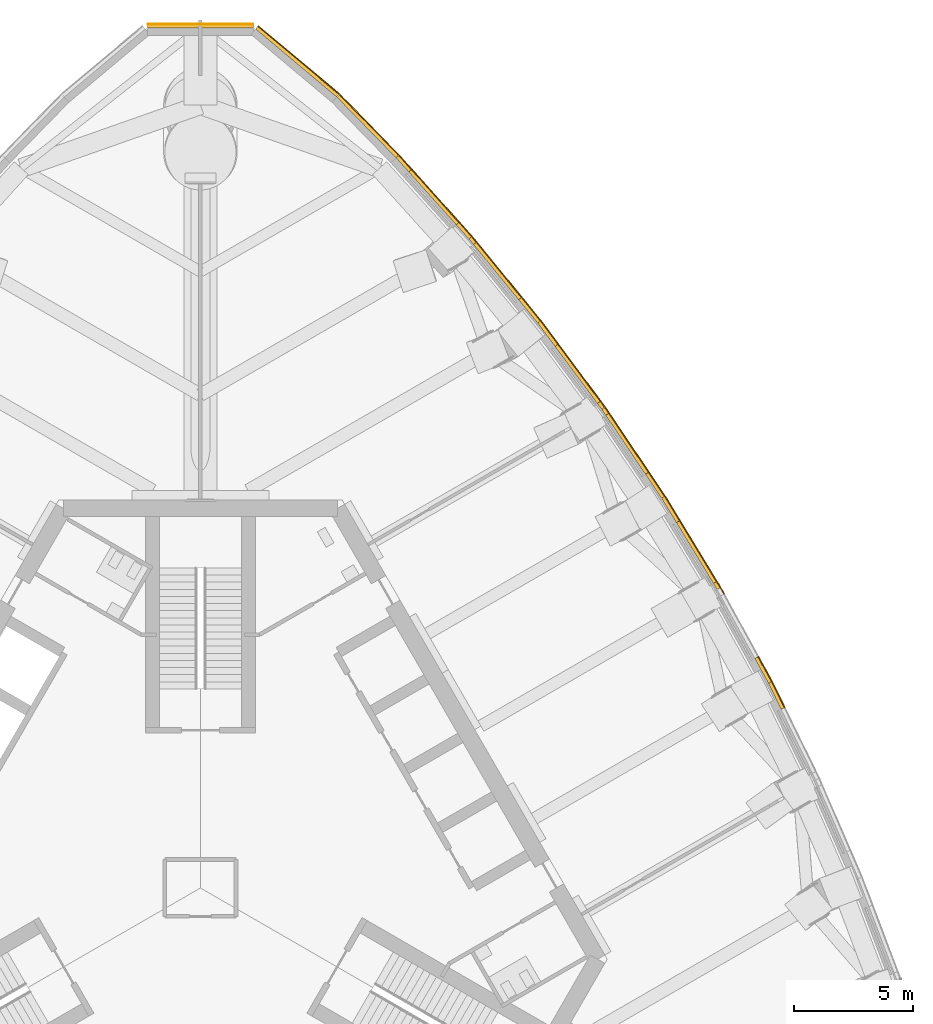
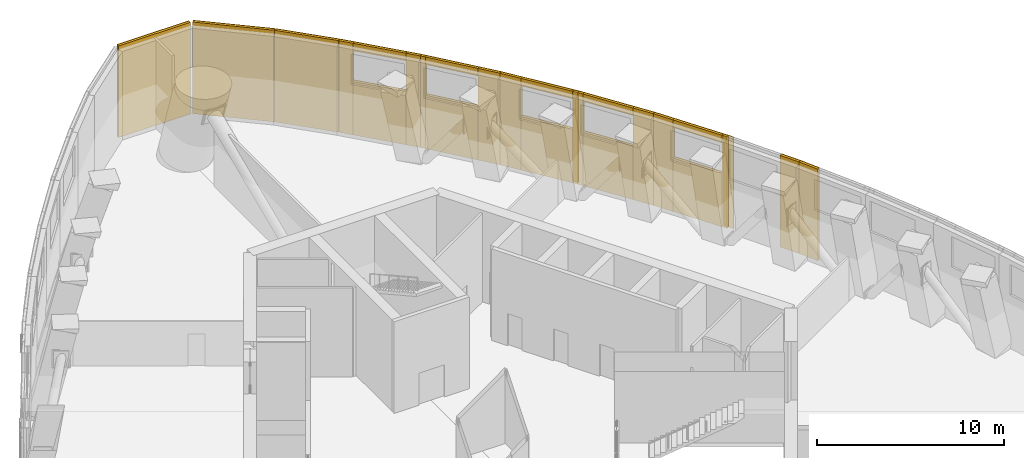
# One storey, part 19 of 22: 51 coverings.
"""IFC4 building model written with IfcOpenShell, lengths in metres."""

import ifcopenshell
import ifcopenshell.guid

model = None  # the IFC model being written
_history = None  # IfcOwnerHistory: only IFC2X3 demands one
_inside = {}  # id of a spatial element -> (the spatial element, [elements in it])
_under = {}  # id of a project, library or spatial element -> (it, [spatial elements below it])
_declared = {}  # id of a project -> (the project, [libraries it declares])
_typed = {}  # id of a type object -> (the type object, [elements of that type])
_made_of = {}  # id of a material, layer set ... -> (it, [elements and type objects made of it])


def new_model(schema):
    """Start an empty IFC model of exactly this schema.

    Asked for "IFC4X3", IfcOpenShell would pick the latest addendum, in which some entities
    have other attributes; the version numbers below select the first issue.
    IFC2X3 requires an IfcOwnerHistory on every rooted entity: one is made here for all.
    """
    global model, _history
    if schema == "IFC4X3":
        model = ifcopenshell.file(schema_version=(4, 3, 0, 0))
    else:
        model = ifcopenshell.file(schema=schema)
    _inside.clear()
    _under.clear()
    _declared.clear()
    _typed.clear()
    _made_of.clear()
    _history = None
    if model.schema == "IFC2X3":
        org = make("IfcOrganization", Name="unknown")
        user = make(
            "IfcPersonAndOrganization",
            ThePerson=make("IfcPerson", FamilyName="unknown"),
            TheOrganization=org,
        )
        app = make(
            "IfcApplication",
            ApplicationDeveloper=org,
            Version="unknown",
            ApplicationFullName="unknown",
            ApplicationIdentifier="unknown",
        )
        _history = make(
            "IfcOwnerHistory",
            OwningUser=user,
            OwningApplication=app,
            ChangeAction="ADDED",
            CreationDate=0,
        )
    return model


def make(cls, **values):
    """One entity of the class cls with the attributes given. An attribute that is None is left unset."""
    return model.create_entity(
        cls, **{name: value for name, value in values.items() if value is not None}
    )


def rooted(cls, **values):
    """An entity with a GlobalId (a new one), such as an element, a storey or a relation."""
    return make(cls, GlobalId=ifcopenshell.guid.new(), OwnerHistory=_history, **values)


def si_unit(unit_type, name, prefix=None):
    """IfcSIUnit, for example si_unit("LENGTHUNIT", "METRE", prefix="MILLI")."""
    return make("IfcSIUnit", UnitType=unit_type, Prefix=prefix, Name=name)


def assignment(units):
    """IfcUnitAssignment: the units of a project."""
    return None if units is None else make("IfcUnitAssignment", Units=units)


def point(xyz):
    """IfcCartesianPoint."""
    return None if xyz is None else make("IfcCartesianPoint", Coordinates=xyz)


def direction(xyz):
    """IfcDirection."""
    return None if xyz is None else make("IfcDirection", DirectionRatios=xyz)


def frame(location, z_axis=None, x_axis=None):
    """IfcAxis2Placement3D, a coordinate frame: its origin and axes. An axis left out is left unset."""
    return make(
        "IfcAxis2Placement3D",
        Location=point(location),
        Axis=direction(z_axis),
        RefDirection=direction(x_axis),
    )


def frame_2d(location, x_axis=None):
    """IfcAxis2Placement2D, a coordinate frame in the plane: its origin and x axis."""
    return make(
        "IfcAxis2Placement2D", Location=point(location), RefDirection=direction(x_axis)
    )


def origin():
    """The frame at (0, 0, 0) with its axes left unset."""
    return frame((0.0, 0.0, 0.0))


def origin_2d():
    """The frame at (0, 0) in the plane with its x axis left unset."""
    return frame_2d((0.0, 0.0))


def place(relative_to, where):
    """IfcLocalPlacement: puts the frame where relative to a parent placement (None: the world)."""
    return make(
        "IfcLocalPlacement", PlacementRelTo=relative_to, RelativePlacement=where
    )


def context(
    kind, dimensions, precision=None, world=None, true_north=None, identifier=None
):
    """IfcGeometricRepresentationContext, for example the 3D "Model" context."""
    return make(
        "IfcGeometricRepresentationContext",
        ContextIdentifier=identifier,
        ContextType=kind,
        CoordinateSpaceDimension=dimensions,
        Precision=precision,
        WorldCoordinateSystem=world,
        TrueNorth=true_north,
    )


def subcontext(parent, identifier, kind, view, scale=None):
    """IfcGeometricRepresentationSubContext, for example "Body" below "Model"."""
    return make(
        "IfcGeometricRepresentationSubContext",
        ContextIdentifier=identifier,
        ContextType=kind,
        ParentContext=parent,
        TargetScale=scale,
        TargetView=view,
    )


def project(units=None, contexts=None):
    """IfcProject with its units and contexts."""
    return rooted(
        "IfcProject",
        Name="project",
        RepresentationContexts=contexts,
        UnitsInContext=assignment(units),
    )


def spatial(cls, under=None, at=None, **own):
    """A site, building, storey or space (cls), placed at a placement, below another one or the project."""
    s = rooted(cls, ObjectPlacement=at, **own)
    if under is not None:
        _under.setdefault(under.id(), (under, []))[1].append(s)
    return s


def profile(cls, at=None, kind="AREA", **sizes):
    """A parametric profile (cls). Its sizes go by their IFC names, for example OverallWidth=200.0."""
    return make(cls, ProfileType=kind, Position=at, **sizes)


def rectangle(**sizes):
    """IfcRectangleProfileDef."""
    return profile("IfcRectangleProfileDef", **sizes)


def extrude(swept, where, along, depth):
    """IfcExtrudedAreaSolid: the profile swept, set in the frame where, extruded along a direction by depth."""
    return make(
        "IfcExtrudedAreaSolid",
        SweptArea=swept,
        Position=where,
        ExtrudedDirection=direction(along),
        Depth=depth,
    )


def shape(context_of_items, identifier, shape_type, items):
    """IfcShapeRepresentation: the items that make up one representation, for example the "Body"."""
    return make(
        "IfcShapeRepresentation",
        ContextOfItems=context_of_items,
        RepresentationIdentifier=identifier,
        RepresentationType=shape_type,
        Items=items,
    )


def material(Name=None, Category=None):
    """IfcMaterial."""
    return make("IfcMaterial", Name=Name, Category=Category)


def layer(
    of_material, thickness, ventilated=None, Name=None, Category=None, Priority=None
):
    """IfcMaterialLayer: one layer of a wall or slab, of a material (None: an air gap)."""
    return make(
        "IfcMaterialLayer",
        Material=of_material,
        LayerThickness=thickness,
        IsVentilated=ventilated,
        Name=Name,
        Category=Category,
        Priority=Priority,
    )


def layer_set(layers, Name=None):
    """IfcMaterialLayerSet."""
    return make("IfcMaterialLayerSet", MaterialLayers=layers, LayerSetName=Name)


def made_of(thing, what):
    """Note that an element or type object is made of a material, layer set ...; save() writes the relation."""
    if what is not None:
        _made_of.setdefault(what.id(), (what, []))[1].append(thing)
    return thing


def type_object(cls, material=None, **own):
    """A type object (cls), such as IfcWallType, which elements share."""
    return made_of(rooted(cls, **own), material)


def element(
    cls,
    number,
    at=None,
    inside=None,
    cuts=None,
    type_object=None,
    material=None,
    context=None,
    identifier="Body",
    shape_type=None,
    held_by="IfcProductDefinitionShape",
    body=None,
    shapes=None,
    **own,
):
    """One element of the class cls, such as IfcWall. Its Tag is "e" and its number.

    at: its placement. inside: the storey or other place that contains it. cuts: it is an
    opening in that element (IfcRelVoidsElement). A single representation is given by context,
    identifier, shape_type and body (its items); several are given by shapes. held_by: the class
    of the entity that holds the representations. save() writes the other relations.
    """
    e = rooted(cls, Tag="e%d" % number, ObjectPlacement=at, **own)
    if body is not None:
        shapes = [shape(context, identifier, shape_type, body)]
    if shapes is not None:
        e.Representation = make(held_by, Representations=shapes)
    if inside is not None:
        _inside.setdefault(inside.id(), (inside, []))[1].append(e)
    if cuts is not None:
        rooted(
            "IfcRelVoidsElement", RelatingBuildingElement=cuts, RelatedOpeningElement=e
        )
    if type_object is not None:
        _typed.setdefault(type_object.id(), (type_object, []))[1].append(e)
    return made_of(e, material)


def aggregate(whole, parts):
    """IfcRelAggregates: a whole, such as a stair, and the parts it consists of."""
    return rooted("IfcRelAggregates", RelatingObject=whole, RelatedObjects=parts)


def save(model, path):
    """Write the relations noted so far, then the file.

    IfcRelAggregates (storeys below a building ...), IfcRelContainedInSpatialStructure (elements
    in a storey), IfcRelDefinesByType, IfcRelAssociatesMaterial and IfcRelDeclares: one each for
    every whole, place, type object, material and project.
    """
    for whole, parts in _under.values():
        aggregate(whole, parts)
    for where, things in _inside.values():
        rooted(
            "IfcRelContainedInSpatialStructure",
            RelatedElements=things,
            RelatingStructure=where,
        )
    for kind, things in _typed.values():
        rooted("IfcRelDefinesByType", RelatedObjects=things, RelatingType=kind)
    for what, things in _made_of.values():
        rooted("IfcRelAssociatesMaterial", RelatedObjects=things, RelatingMaterial=what)
    for by, libraries in _declared.values():
        rooted("IfcRelDeclares", RelatingContext=by, RelatedDefinitions=libraries)
    model.write(path)


model = new_model("IFC4")

# Units and contexts
model_context = context("Model", 3, precision=1e-05, world=origin(), true_north=direction((0.0, 1.0)))
body_context = subcontext(model_context, "Body", "Model", "MODEL_VIEW")
ifc_project = project(units=[si_unit("LENGTHUNIT", "METRE"), si_unit("AREAUNIT", "SQUARE_METRE"), si_unit("VOLUMEUNIT", "CUBIC_METRE"), si_unit("PLANEANGLEUNIT", "RADIAN"), si_unit("MASSUNIT", "GRAM", prefix="KILO")], contexts=[model_context])

# Site, building, storey
site_placement = place(None, origin())
site = spatial("IfcSite", under=ifc_project, at=site_placement, CompositionType="ELEMENT")
building_placement = place(site_placement, origin())
building = spatial("IfcBuilding", under=site, at=building_placement, Name="Trefoil Bronze Tower", CompositionType="ELEMENT")
storey_placement = place(building_placement, frame((0.0, 0.0, 265.300048828125)))
storey = spatial("IfcBuildingStorey", under=building, at=storey_placement, Name="L61", CompositionType="ELEMENT", Elevation=265.300048828125)

# Coverings
ifc_material_1 = material(Name="Bronze-finish aluminium rainscreen panel on aluminium rails", Category="aluminium")
ifc_layer_1 = layer(ifc_material_1, 0.0400390625)
ifc_layer_set_1 = layer_set([ifc_layer_1], Name="Bronze cladding panel 40")
covering_type_1 = type_object("IfcCoveringType", Name="Bronze cladding panel 40", PredefinedType="CLADDING", material=ifc_layer_set_1)
covering_1_placement = place(storey_placement, frame((24.364990234375, 8.148193359375, 0.0), z_axis=(0.0, 0.0, 1.0), x_axis=(-0.439129033303, 0.898424004638, 0.0)))
element("IfcCovering", 1, at=covering_1_placement, inside=storey, type_object=covering_type_1, Name="Cladding panel L61 Face 2.5 piece 2", PredefinedType="CLADDING", context=body_context, shape_type="SweptSolid", body=[
    extrude(rectangle(XDim=1.210693359375, YDim=0.0400390625, at=origin_2d()), origin(), (0.0, 0.0, 1.0), 6.0),
])
covering_2_placement = place(storey_placement, frame((23.80419921875, 9.23193359375, 0.0), z_axis=(0.0, 0.0, 1.0), x_axis=(-0.479974003443, 0.87728271157, 0.0)))
element("IfcCovering", 2, at=covering_2_placement, inside=storey, type_object=covering_type_1, Name="Cladding panel L61 Face 2.6 piece 1", PredefinedType="CLADDING", context=body_context, shape_type="SweptSolid", body=[
    extrude(rectangle(XDim=1.201171875, YDim=0.0400390625, at=origin_2d()), origin(), (0.0, 0.0, 1.0), 6.0),
])
for number, where, z_axis, x_axis, name in (
    (3, (22.00390625, 12.522216796875, 0.0), (0.0, 0.0, 1.0), (-0.479974003443, 0.87728271157, 0.0), "Cladding panel L61 Face 2.6 piece 2"),
    (4, (21.8466796875, 12.794677734375, 0.0), (0.0, 0.0, 1.0), (-0.519762112709, 0.854311035977, 0.0), "Cladding panel L61 Face 2.7 piece 1"),
):
    element("IfcCovering", number, at=place(storey_placement, frame(where, z_axis=z_axis, x_axis=x_axis)), inside=storey, type_object=covering_type_1, Name=name, PredefinedType="CLADDING", context=body_context, shape_type="SweptSolid", body=[
        extrude(rectangle(XDim=0.300048828125, YDim=0.0400390625, at=origin_2d()), origin(), (0.0, 0.0, 1.0), 6.0),
    ])
covering_3_placement = place(storey_placement, frame((19.897216796875, 15.9990234375, 0.0), z_axis=(0.0, 0.0, 1.0), x_axis=(-0.519762112709, 0.854311035977, 0.0)))
element("IfcCovering", 5, at=covering_3_placement, inside=storey, type_object=covering_type_1, Name="Cladding panel L61 Face 2.7 piece 2", PredefinedType="CLADDING", context=body_context, shape_type="SweptSolid", body=[
    extrude(rectangle(XDim=1.201171875, YDim=0.0400390625, at=origin_2d()), origin(), (0.0, 0.0, 1.0), 6.0),
])
covering_4_placement = place(storey_placement, frame((20.989013671875, 14.204345703125, 0.0), z_axis=(0.0, 0.0, 1.0), x_axis=(-0.519762112709, 0.854311035977, 0.0)))
element("IfcCovering", 6, at=covering_4_placement, inside=storey, type_object=covering_type_1, Name="Cladding panel L61 Face 2.7 piece 3", PredefinedType="CLADDING", context=body_context, shape_type="SweptSolid", body=[
    extrude(rectangle(XDim=3.0, YDim=0.0400390625, at=origin_2d()), origin(), (0.0, 0.0, 1.0), 3.5),
])
covering_5_placement = place(storey_placement, frame((20.989013671875, 14.204345703125, 5.5), z_axis=(0.0, 0.0, 1.0), x_axis=(-0.519762112709, 0.854311035977, 0.0)))
element("IfcCovering", 7, at=covering_5_placement, inside=storey, type_object=covering_type_1, Name="Cladding panel L61 Face 2.7 piece 4", PredefinedType="CLADDING", context=body_context, shape_type="SweptSolid", body=[
    extrude(rectangle(XDim=3.0, YDim=0.0400390625, at=origin_2d()), origin(), (0.0, 0.0, 1.0), 0.5),
])
covering_6_placement = place(storey_placement, frame((19.239013671875, 17.026611328125, 0.0), z_axis=(0.0, 0.0, 1.0), x_axis=(-0.558493494822, 0.82950890064, 0.0)))
element("IfcCovering", 8, at=covering_6_placement, inside=storey, type_object=covering_type_1, Name="Cladding panel L61 Face 2.8 piece 1", PredefinedType="CLADDING", context=body_context, shape_type="SweptSolid", body=[
    extrude(rectangle(XDim=1.210693359375, YDim=0.0400390625, at=origin_2d()), origin(), (0.0, 0.0, 1.0), 6.0),
])
covering_7_placement = place(storey_placement, frame((17.1416015625, 20.1416015625, 0.0), z_axis=(0.0, 0.0, 1.0), x_axis=(-0.558493494822, 0.82950890064, 0.0)))
element("IfcCovering", 9, at=covering_7_placement, inside=storey, type_object=covering_type_1, Name="Cladding panel L61 Face 2.8 piece 2", PredefinedType="CLADDING", context=body_context, shape_type="SweptSolid", body=[
    extrude(rectangle(XDim=0.300048828125, YDim=0.0400390625, at=origin_2d()), origin(), (0.0, 0.0, 1.0), 6.0),
])
covering_8_placement = place(storey_placement, frame((18.063232421875, 18.77294921875, 0.0), z_axis=(0.0, 0.0, 1.0), x_axis=(-0.558493494822, 0.82950890064, 0.0)))
element("IfcCovering", 10, at=covering_8_placement, inside=storey, type_object=covering_type_1, Name="Cladding panel L61 Face 2.8 piece 3", PredefinedType="CLADDING", context=body_context, shape_type="SweptSolid", body=[
    extrude(rectangle(XDim=3.0, YDim=0.0400390625, at=origin_2d()), origin(), (0.0, 0.0, 1.0), 3.5),
])
covering_9_placement = place(storey_placement, frame((18.063232421875, 18.77294921875, 5.5), z_axis=(0.0, 0.0, 1.0), x_axis=(-0.558493494822, 0.82950890064, 0.0)))
element("IfcCovering", 11, at=covering_9_placement, inside=storey, type_object=covering_type_1, Name="Cladding panel L61 Face 2.8 piece 4", PredefinedType="CLADDING", context=body_context, shape_type="SweptSolid", body=[
    extrude(rectangle(XDim=3.0, YDim=0.0400390625, at=origin_2d()), origin(), (0.0, 0.0, 1.0), 0.5),
])
covering_10_placement = place(storey_placement, frame((16.9599609375, 20.398681640625, 0.0), z_axis=(0.0, 0.0, 1.0), x_axis=(-0.596161525977, 0.802864518425, 0.0)))
element("IfcCovering", 12, at=covering_10_placement, inside=storey, type_object=covering_type_1, Name="Cladding panel L61 Face 2.9 piece 1", PredefinedType="CLADDING", context=body_context, shape_type="SweptSolid", body=[
    extrude(rectangle(XDim=0.300048828125, YDim=0.0400390625, at=origin_2d()), origin(), (0.0, 0.0, 1.0), 6.0),
])
covering_11_placement = place(storey_placement, frame((14.71533203125, 23.42138671875, 0.0), z_axis=(0.0, 0.0, 1.0), x_axis=(-0.596161525977, 0.802864518425, 0.0)))
element("IfcCovering", 13, at=covering_11_placement, inside=storey, type_object=covering_type_1, Name="Cladding panel L61 Face 2.9 piece 2", PredefinedType="CLADDING", context=body_context, shape_type="SweptSolid", body=[
    extrude(rectangle(XDim=1.22998046875, YDim=0.0400390625, at=origin_2d()), origin(), (0.0, 0.0, 1.0), 6.0),
])
covering_12_placement = place(storey_placement, frame((15.976318359375, 21.723388671875, 0.0), z_axis=(0.0, 0.0, 1.0), x_axis=(-0.596161525977, 0.802864518425, 0.0)))
element("IfcCovering", 14, at=covering_12_placement, inside=storey, type_object=covering_type_1, Name="Cladding panel L61 Face 2.9 piece 3", PredefinedType="CLADDING", context=body_context, shape_type="SweptSolid", body=[
    extrude(rectangle(XDim=3.0, YDim=0.0400390625, at=origin_2d()), origin(), (0.0, 0.0, 1.0), 3.5),
])
covering_13_placement = place(storey_placement, frame((15.976318359375, 21.723388671875, 5.5), z_axis=(0.0, 0.0, 1.0), x_axis=(-0.596161525977, 0.802864518425, 0.0)))
element("IfcCovering", 15, at=covering_13_placement, inside=storey, type_object=covering_type_1, Name="Cladding panel L61 Face 2.9 piece 4", PredefinedType="CLADDING", context=body_context, shape_type="SweptSolid", body=[
    extrude(rectangle(XDim=3.0, YDim=0.0400390625, at=origin_2d()), origin(), (0.0, 0.0, 1.0), 0.5),
])
covering_14_placement = place(storey_placement, frame((13.941162109375, 24.41455078125, 0.0), z_axis=(0.0, 0.0, 1.0), x_axis=(-0.632752613064, 0.774354008616, 0.0)))
element("IfcCovering", 16, at=covering_14_placement, inside=storey, type_object=covering_type_1, Name="Cladding panel L61 Face 2.10 piece 1", PredefinedType="CLADDING", context=body_context, shape_type="SweptSolid", body=[
    extrude(rectangle(XDim=1.25927734375, YDim=0.0400390625, at=origin_2d()), origin(), (0.0, 0.0, 1.0), 6.0),
])
covering_15_placement = place(storey_placement, frame((11.549560546875, 27.34130859375, 0.0), z_axis=(0.0, 0.0, 1.0), x_axis=(-0.632752613064, 0.774354008616, 0.0)))
element("IfcCovering", 17, at=covering_15_placement, inside=storey, type_object=covering_type_1, Name="Cladding panel L61 Face 2.10 piece 2", PredefinedType="CLADDING", context=body_context, shape_type="SweptSolid", body=[
    extrude(rectangle(XDim=0.300048828125, YDim=0.0400390625, at=origin_2d()), origin(), (0.0, 0.0, 1.0), 6.0),
])
covering_16_placement = place(storey_placement, frame((12.59375, 26.0634765625, 0.0), z_axis=(0.0, 0.0, 1.0), x_axis=(-0.632752613064, 0.774354008616, 0.0)))
element("IfcCovering", 18, at=covering_16_placement, inside=storey, type_object=covering_type_1, Name="Cladding panel L61 Face 2.10 piece 3", PredefinedType="CLADDING", context=body_context, shape_type="SweptSolid", body=[
    extrude(rectangle(XDim=3.0, YDim=0.0400390625, at=origin_2d()), origin(), (0.0, 0.0, 1.0), 3.5),
])
covering_17_placement = place(storey_placement, frame((12.59375, 26.0634765625, 5.5), z_axis=(0.0, 0.0, 1.0), x_axis=(-0.632752613064, 0.774354008616, 0.0)))
element("IfcCovering", 19, at=covering_17_placement, inside=storey, type_object=covering_type_1, Name="Cladding panel L61 Face 2.10 piece 4", PredefinedType="CLADDING", context=body_context, shape_type="SweptSolid", body=[
    extrude(rectangle(XDim=3.0, YDim=0.0400390625, at=origin_2d()), origin(), (0.0, 0.0, 1.0), 0.5),
])
for number, where, z_axis, x_axis, name in (
    (20, (11.177734375, 27.76611328125, 0.0), (0.0, 0.0, 1.0), (-0.668245743959, 0.743940606286, 0.0), "Cladding panel L61 Face 2.11 piece 1"),
    (21, (8.638671875, 30.593017578125, 0.0), (0.0, 0.0, 1.0), (-0.668245743959, 0.743940606286, 0.0), "Cladding panel L61 Face 2.11 piece 2"),
):
    element("IfcCovering", number, at=place(storey_placement, frame(where, z_axis=z_axis, x_axis=x_axis)), inside=storey, type_object=covering_type_1, Name=name, PredefinedType="CLADDING", context=body_context, shape_type="SweptSolid", body=[
        extrude(rectangle(XDim=0.7998046875, YDim=0.0400390625, at=origin_2d()), origin(), (0.0, 0.0, 1.0), 6.0),
    ])
covering_18_placement = place(storey_placement, frame((9.908203125, 29.1796875, 0.0), z_axis=(0.0, 0.0, 1.0), x_axis=(-0.668245743959, 0.743940606286, 0.0)))
element("IfcCovering", 22, at=covering_18_placement, inside=storey, type_object=covering_type_1, Name="Cladding panel L61 Face 2.11 piece 3", PredefinedType="CLADDING", context=body_context, shape_type="SweptSolid", body=[
    extrude(rectangle(XDim=3.0, YDim=0.0400390625, at=origin_2d()), origin(), (0.0, 0.0, 1.0), 3.5),
])
covering_19_placement = place(storey_placement, frame((9.908203125, 29.1796875, 5.5), z_axis=(0.0, 0.0, 1.0), x_axis=(-0.668245743959, 0.743940606286, 0.0)))
element("IfcCovering", 23, at=covering_19_placement, inside=storey, type_object=covering_type_1, Name="Cladding panel L61 Face 2.11 piece 4", PredefinedType="CLADDING", context=body_context, shape_type="SweptSolid", body=[
    extrude(rectangle(XDim=3.0, YDim=0.0400390625, at=origin_2d()), origin(), (0.0, 0.0, 1.0), 0.5),
])
covering_20_placement = place(storey_placement, frame((7.117431640625, 32.175048828125, 0.0), z_axis=(0.0, 0.0, 1.0), x_axis=(-0.698651812537, 0.715461840239, 0.0)))
element("IfcCovering", 24, at=covering_20_placement, inside=storey, type_object=covering_type_1, Name="Cladding panel L61 Face 2.12 piece 1", PredefinedType="CLADDING", context=body_context, shape_type="SweptSolid", body=[
    extrude(rectangle(XDim=3.563720703125, YDim=0.0400390625, at=origin_2d()), origin(), (0.0, 0.0, 1.0), 6.0),
])
for number, where, z_axis, x_axis, name in (
    (25, (4.141845703125, 34.904052734375, 0.0), (0.0, 0.0, 1.0), (-0.766044443063, 0.642787609753, 0.0), "Cladding panel L61 Corner 2.1 piece 1"),
    (26, (0.0, 36.41162109375, 0.0), (0.0, 0.0, 1.0), (-1.0, 0.0, 0.0), "Cladding panel L61 Corner 2.2 piece 1"),
):
    element("IfcCovering", number, at=place(storey_placement, frame(where, z_axis=z_axis, x_axis=x_axis)), inside=storey, type_object=covering_type_1, Name=name, PredefinedType="CLADDING", context=body_context, shape_type="SweptSolid", body=[
        extrude(rectangle(XDim=4.457763671875, YDim=0.0400390625, at=origin_2d()), origin(), (0.0, 0.0, 1.0), 6.0),
    ])
ifc_material_2 = material(Name="Non-combustible mineral wool slab", Category="insulation")
ifc_layer_2 = layer(ifc_material_2, 0.14990234375)
ifc_layer_set_2 = layer_set([ifc_layer_2], Name="Rainscreen insulation 150")
covering_type_2 = type_object("IfcCoveringType", Name="Rainscreen insulation 150", PredefinedType="INSULATION", material=ifc_layer_set_2)
covering_21_placement = place(storey_placement, frame((24.279541015625, 8.1064453125, 0.0), z_axis=(0.0, 0.0, 1.0), x_axis=(-0.439129033303, 0.898424004638, 0.0)))
element("IfcCovering", 27, at=covering_21_placement, inside=storey, type_object=covering_type_2, Name="Insulation L61 Face 2.5 piece 2", PredefinedType="INSULATION", context=body_context, shape_type="SweptSolid", body=[
    extrude(rectangle(XDim=1.210693359375, YDim=0.14990234375, at=origin_2d()), origin(), (0.0, 0.0, 1.0), 6.0),
])
covering_22_placement = place(storey_placement, frame((23.720703125, 9.186279296875, 0.0), z_axis=(0.0, 0.0, 1.0), x_axis=(-0.479974003443, 0.87728271157, 0.0)))
element("IfcCovering", 28, at=covering_22_placement, inside=storey, type_object=covering_type_2, Name="Insulation L61 Face 2.6 piece 1", PredefinedType="INSULATION", context=body_context, shape_type="SweptSolid", body=[
    extrude(rectangle(XDim=1.201171875, YDim=0.14990234375, at=origin_2d()), origin(), (0.0, 0.0, 1.0), 6.0),
])
covering_23_placement = place(storey_placement, frame((21.765380859375, 12.745361328125, 0.0), z_axis=(0.0, 0.0, 1.0), x_axis=(-0.519762112709, 0.854311035977, 0.0)))
element("IfcCovering", 29, at=covering_23_placement, inside=storey, type_object=covering_type_2, Name="Insulation L61 Face 2.7 piece 1", PredefinedType="INSULATION", context=body_context, shape_type="SweptSolid", body=[
    extrude(rectangle(XDim=0.300048828125, YDim=0.14990234375, at=origin_2d()), origin(), (0.0, 0.0, 1.0), 6.0),
])
covering_24_placement = place(storey_placement, frame((19.81591796875, 15.949462890625, 0.0), z_axis=(0.0, 0.0, 1.0), x_axis=(-0.519762112709, 0.854311035977, 0.0)))
element("IfcCovering", 30, at=covering_24_placement, inside=storey, type_object=covering_type_2, Name="Insulation L61 Face 2.7 piece 2", PredefinedType="INSULATION", context=body_context, shape_type="SweptSolid", body=[
    extrude(rectangle(XDim=1.201171875, YDim=0.14990234375, at=origin_2d()), origin(), (0.0, 0.0, 1.0), 6.0),
])
covering_25_placement = place(storey_placement, frame((20.90771484375, 14.155029296875, 0.0), z_axis=(0.0, 0.0, 1.0), x_axis=(-0.519762112709, 0.854311035977, 0.0)))
element("IfcCovering", 31, at=covering_25_placement, inside=storey, type_object=covering_type_2, Name="Insulation L61 Face 2.7 piece 3", PredefinedType="INSULATION", context=body_context, shape_type="SweptSolid", body=[
    extrude(rectangle(XDim=3.0, YDim=0.14990234375, at=origin_2d()), origin(), (0.0, 0.0, 1.0), 3.5),
])
covering_26_placement = place(storey_placement, frame((20.90771484375, 14.155029296875, 5.5), z_axis=(0.0, 0.0, 1.0), x_axis=(-0.519762112709, 0.854311035977, 0.0)))
element("IfcCovering", 32, at=covering_26_placement, inside=storey, type_object=covering_type_2, Name="Insulation L61 Face 2.7 piece 4", PredefinedType="INSULATION", context=body_context, shape_type="SweptSolid", body=[
    extrude(rectangle(XDim=3.0, YDim=0.14990234375, at=origin_2d()), origin(), (0.0, 0.0, 1.0), 0.5),
])
covering_27_placement = place(storey_placement, frame((19.16015625, 16.9736328125, 0.0), z_axis=(0.0, 0.0, 1.0), x_axis=(-0.558493494822, 0.82950890064, 0.0)))
element("IfcCovering", 33, at=covering_27_placement, inside=storey, type_object=covering_type_2, Name="Insulation L61 Face 2.8 piece 1", PredefinedType="INSULATION", context=body_context, shape_type="SweptSolid", body=[
    extrude(rectangle(XDim=1.210693359375, YDim=0.14990234375, at=origin_2d()), origin(), (0.0, 0.0, 1.0), 6.0),
])
covering_28_placement = place(storey_placement, frame((17.062744140625, 20.088623046875, 0.0), z_axis=(0.0, 0.0, 1.0), x_axis=(-0.558493494822, 0.82950890064, 0.0)))
element("IfcCovering", 34, at=covering_28_placement, inside=storey, type_object=covering_type_2, Name="Insulation L61 Face 2.8 piece 2", PredefinedType="INSULATION", context=body_context, shape_type="SweptSolid", body=[
    extrude(rectangle(XDim=0.300048828125, YDim=0.14990234375, at=origin_2d()), origin(), (0.0, 0.0, 1.0), 6.0),
])
covering_29_placement = place(storey_placement, frame((17.984375, 18.719970703125, 0.0), z_axis=(0.0, 0.0, 1.0), x_axis=(-0.558493494822, 0.82950890064, 0.0)))
element("IfcCovering", 35, at=covering_29_placement, inside=storey, type_object=covering_type_2, Name="Insulation L61 Face 2.8 piece 3", PredefinedType="INSULATION", context=body_context, shape_type="SweptSolid", body=[
    extrude(rectangle(XDim=3.0, YDim=0.14990234375, at=origin_2d()), origin(), (0.0, 0.0, 1.0), 3.5),
])
covering_30_placement = place(storey_placement, frame((17.984375, 18.719970703125, 5.5), z_axis=(0.0, 0.0, 1.0), x_axis=(-0.558493494822, 0.82950890064, 0.0)))
element("IfcCovering", 36, at=covering_30_placement, inside=storey, type_object=covering_type_2, Name="Insulation L61 Face 2.8 piece 4", PredefinedType="INSULATION", context=body_context, shape_type="SweptSolid", body=[
    extrude(rectangle(XDim=3.0, YDim=0.14990234375, at=origin_2d()), origin(), (0.0, 0.0, 1.0), 0.5),
])
covering_31_placement = place(storey_placement, frame((16.883544921875, 20.342041015625, 0.0), z_axis=(0.0, 0.0, 1.0), x_axis=(-0.596161525977, 0.802864518425, 0.0)))
element("IfcCovering", 37, at=covering_31_placement, inside=storey, type_object=covering_type_2, Name="Insulation L61 Face 2.9 piece 1", PredefinedType="INSULATION", context=body_context, shape_type="SweptSolid", body=[
    extrude(rectangle(XDim=0.300048828125, YDim=0.14990234375, at=origin_2d()), origin(), (0.0, 0.0, 1.0), 6.0),
])
covering_32_placement = place(storey_placement, frame((14.63916015625, 23.36474609375, 0.0), z_axis=(0.0, 0.0, 1.0), x_axis=(-0.596161525977, 0.802864518425, 0.0)))
element("IfcCovering", 38, at=covering_32_placement, inside=storey, type_object=covering_type_2, Name="Insulation L61 Face 2.9 piece 2", PredefinedType="INSULATION", context=body_context, shape_type="SweptSolid", body=[
    extrude(rectangle(XDim=1.22998046875, YDim=0.14990234375, at=origin_2d()), origin(), (0.0, 0.0, 1.0), 6.0),
])
covering_33_placement = place(storey_placement, frame((15.89990234375, 21.666748046875, 0.0), z_axis=(0.0, 0.0, 1.0), x_axis=(-0.596161525977, 0.802864518425, 0.0)))
element("IfcCovering", 39, at=covering_33_placement, inside=storey, type_object=covering_type_2, Name="Insulation L61 Face 2.9 piece 3", PredefinedType="INSULATION", context=body_context, shape_type="SweptSolid", body=[
    extrude(rectangle(XDim=3.0, YDim=0.14990234375, at=origin_2d()), origin(), (0.0, 0.0, 1.0), 3.5),
])
covering_34_placement = place(storey_placement, frame((15.89990234375, 21.666748046875, 5.5), z_axis=(0.0, 0.0, 1.0), x_axis=(-0.596161525977, 0.802864518425, 0.0)))
element("IfcCovering", 40, at=covering_34_placement, inside=storey, type_object=covering_type_2, Name="Insulation L61 Face 2.9 piece 4", PredefinedType="INSULATION", context=body_context, shape_type="SweptSolid", body=[
    extrude(rectangle(XDim=3.0, YDim=0.14990234375, at=origin_2d()), origin(), (0.0, 0.0, 1.0), 0.5),
])
covering_35_placement = place(storey_placement, frame((13.86767578125, 24.354248046875, 0.0), z_axis=(0.0, 0.0, 1.0), x_axis=(-0.632752613064, 0.774354008616, 0.0)))
element("IfcCovering", 41, at=covering_35_placement, inside=storey, type_object=covering_type_2, Name="Insulation L61 Face 2.10 piece 1", PredefinedType="INSULATION", context=body_context, shape_type="SweptSolid", body=[
    extrude(rectangle(XDim=1.25927734375, YDim=0.14990234375, at=origin_2d()), origin(), (0.0, 0.0, 1.0), 6.0),
])
covering_36_placement = place(storey_placement, frame((11.47607421875, 27.28125, 0.0), z_axis=(0.0, 0.0, 1.0), x_axis=(-0.632752613064, 0.774354008616, 0.0)))
element("IfcCovering", 42, at=covering_36_placement, inside=storey, type_object=covering_type_2, Name="Insulation L61 Face 2.10 piece 2", PredefinedType="INSULATION", context=body_context, shape_type="SweptSolid", body=[
    extrude(rectangle(XDim=0.300048828125, YDim=0.14990234375, at=origin_2d()), origin(), (0.0, 0.0, 1.0), 6.0),
])
covering_37_placement = place(storey_placement, frame((12.52001953125, 26.00341796875, 0.0), z_axis=(0.0, 0.0, 1.0), x_axis=(-0.632752613064, 0.774354008616, 0.0)))
element("IfcCovering", 43, at=covering_37_placement, inside=storey, type_object=covering_type_2, Name="Insulation L61 Face 2.10 piece 3", PredefinedType="INSULATION", context=body_context, shape_type="SweptSolid", body=[
    extrude(rectangle(XDim=3.0, YDim=0.14990234375, at=origin_2d()), origin(), (0.0, 0.0, 1.0), 3.5),
])
covering_38_placement = place(storey_placement, frame((12.52001953125, 26.00341796875, 5.5), z_axis=(0.0, 0.0, 1.0), x_axis=(-0.632752613064, 0.774354008616, 0.0)))
element("IfcCovering", 44, at=covering_38_placement, inside=storey, type_object=covering_type_2, Name="Insulation L61 Face 2.10 piece 4", PredefinedType="INSULATION", context=body_context, shape_type="SweptSolid", body=[
    extrude(rectangle(XDim=3.0, YDim=0.14990234375, at=origin_2d()), origin(), (0.0, 0.0, 1.0), 0.5),
])
for number, where, z_axis, x_axis, name in (
    (45, (11.107177734375, 27.70263671875, 0.0), (0.0, 0.0, 1.0), (-0.668245743959, 0.743940606286, 0.0), "Insulation L61 Face 2.11 piece 1"),
    (46, (8.56787109375, 30.529541015625, 0.0), (0.0, 0.0, 1.0), (-0.668245743959, 0.743940606286, 0.0), "Insulation L61 Face 2.11 piece 2"),
):
    element("IfcCovering", number, at=place(storey_placement, frame(where, z_axis=z_axis, x_axis=x_axis)), inside=storey, type_object=covering_type_2, Name=name, PredefinedType="INSULATION", context=body_context, shape_type="SweptSolid", body=[
        extrude(rectangle(XDim=0.7998046875, YDim=0.14990234375, at=origin_2d()), origin(), (0.0, 0.0, 1.0), 6.0),
    ])
covering_39_placement = place(storey_placement, frame((9.837646484375, 29.1162109375, 0.0), z_axis=(0.0, 0.0, 1.0), x_axis=(-0.668245743959, 0.743940606286, 0.0)))
element("IfcCovering", 47, at=covering_39_placement, inside=storey, type_object=covering_type_2, Name="Insulation L61 Face 2.11 piece 3", PredefinedType="INSULATION", context=body_context, shape_type="SweptSolid", body=[
    extrude(rectangle(XDim=3.0, YDim=0.14990234375, at=origin_2d()), origin(), (0.0, 0.0, 1.0), 3.5),
])
covering_40_placement = place(storey_placement, frame((9.837646484375, 29.1162109375, 5.5), z_axis=(0.0, 0.0, 1.0), x_axis=(-0.668245743959, 0.743940606286, 0.0)))
element("IfcCovering", 48, at=covering_40_placement, inside=storey, type_object=covering_type_2, Name="Insulation L61 Face 2.11 piece 4", PredefinedType="INSULATION", context=body_context, shape_type="SweptSolid", body=[
    extrude(rectangle(XDim=3.0, YDim=0.14990234375, at=origin_2d()), origin(), (0.0, 0.0, 1.0), 0.5),
])
covering_41_placement = place(storey_placement, frame((7.049560546875, 32.108642578125, 0.0), z_axis=(0.0, 0.0, 1.0), x_axis=(-0.698651812537, 0.715461840239, 0.0)))
element("IfcCovering", 49, at=covering_41_placement, inside=storey, type_object=covering_type_2, Name="Insulation L61 Face 2.12 piece 1", PredefinedType="INSULATION", context=body_context, shape_type="SweptSolid", body=[
    extrude(rectangle(XDim=3.563720703125, YDim=0.14990234375, at=origin_2d()), origin(), (0.0, 0.0, 1.0), 6.0),
])
for number, where, z_axis, x_axis, name in (
    (50, (4.080810546875, 34.831298828125, 0.0), (0.0, 0.0, 1.0), (-0.766044443063, 0.642787609753, 0.0), "Insulation L61 Corner 2.1 piece 1"),
    (51, (0.0, 36.316650390625, 0.0), (0.0, 0.0, 1.0), (-1.0, 0.0, 0.0), "Insulation L61 Corner 2.2 piece 1"),
):
    element("IfcCovering", number, at=place(storey_placement, frame(where, z_axis=z_axis, x_axis=x_axis)), inside=storey, type_object=covering_type_2, Name=name, PredefinedType="INSULATION", context=body_context, shape_type="SweptSolid", body=[
        extrude(rectangle(XDim=4.457763671875, YDim=0.14990234375, at=origin_2d()), origin(), (0.0, 0.0, 1.0), 6.0),
    ])

save(model, "model.ifc")
